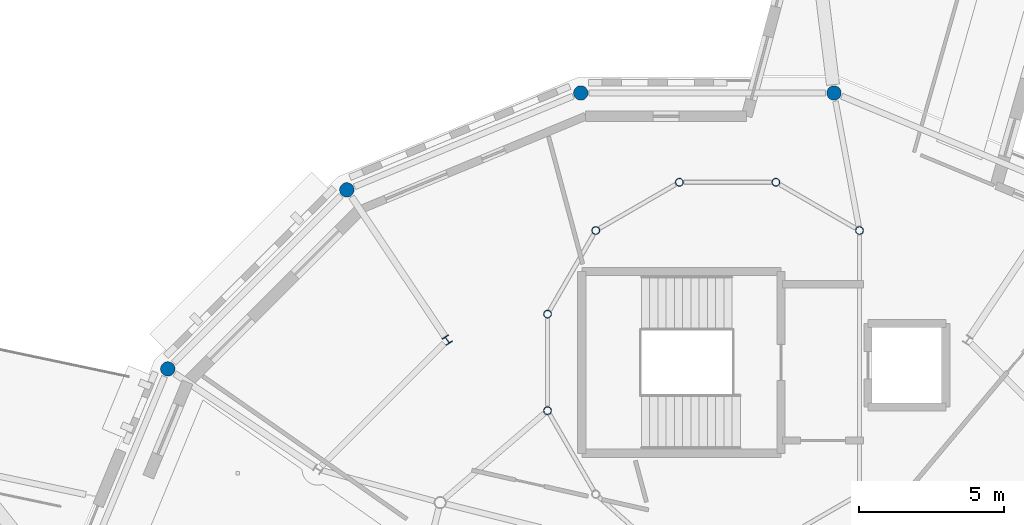
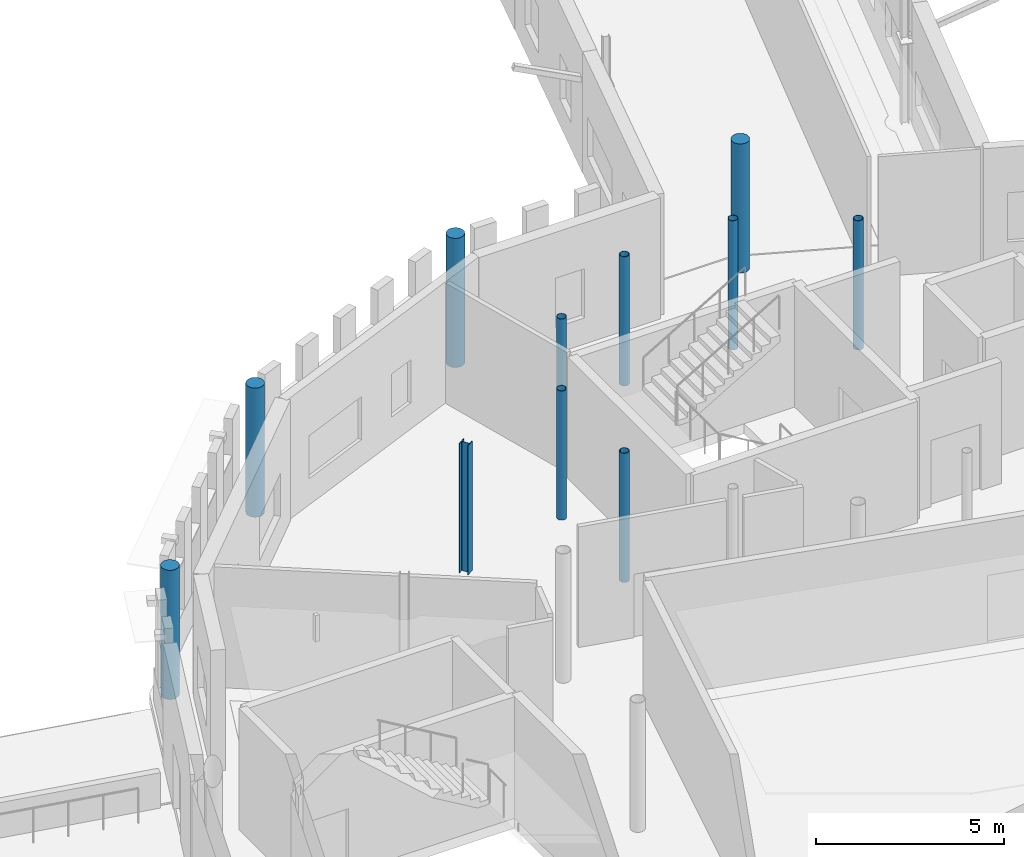
# One storey, part 14 of 90: 11 columns.
"""IFC4 building model written with IfcOpenShell, lengths in metres."""

from ifc_helpers import new_model, si_unit, direction, frame, origin, origin_2d, place, context, subcontext, project, spatial, circle, hollow_circle, i_section, extrude, material, material_profile, profile_set, type_object, element, save


model = new_model("IFC4")

# Units and contexts
model_context = context("Model", 3, precision=1e-05, world=origin(), true_north=direction((0.0, 1.0)))
body_context = subcontext(model_context, "Body", "Model", "MODEL_VIEW")
ifc_project = project(units=[si_unit("LENGTHUNIT", "METRE"), si_unit("AREAUNIT", "SQUARE_METRE"), si_unit("VOLUMEUNIT", "CUBIC_METRE"), si_unit("PLANEANGLEUNIT", "RADIAN"), si_unit("MASSUNIT", "GRAM", prefix="KILO")], contexts=[model_context])

# Site, building, storey
site_placement = place(None, origin())
site = spatial("IfcSite", under=ifc_project, at=site_placement, CompositionType="ELEMENT")
building_placement = place(site_placement, origin())
building = spatial("IfcBuilding", under=site, at=building_placement, Name="Wrenclough Park School", CompositionType="ELEMENT")
storey_placement = place(building_placement, frame((0.0, 0.0, 8.39990234375)))
storey = spatial("IfcBuildingStorey", under=building, at=storey_placement, Name="L02", CompositionType="ELEMENT", Elevation=8.39990234375)

# Columns
ifc_material_1 = material(Name="Structural steel S355", Category="steel")
ifc_material_profile_1 = material_profile(ifc_material_1, hollow_circle(Radius=0.136474609375, WallThickness=0.012451171875, at=origin_2d()), Name="CHS 273.0x12.5")
ifc_profile_set_1 = profile_set([ifc_material_profile_1], Name="Structural steel S355")
column_type_1 = type_object("IfcColumnType", Name="STR-COL-CHS273", PredefinedType="COLUMN", material=ifc_profile_set_1)
for number, where, z_axis, x_axis, name in (
    (1, (160.7607421875, 43.7607421875, 0.0), (0.0, 0.0, 1.0), (-0.707106781187, 0.707106781187, 0.0), "D1-SH L02 column D1SH-02"),
    (2, (157.869384765625, 45.43017578125, 0.0), (0.0, 0.0, 1.0), (-0.965925826289, 0.258819045103, 0.0), "D1-SH L02 column D1SH-03"),
    (3, (154.530517578125, 45.43017578125, 0.0), (0.0, 0.0, 1.0), (-0.965925826289, -0.258819045103, 0.0), "D1-SH L02 column D1SH-04"),
    (4, (151.63916015625, 43.7607421875, 0.0), (0.0, 0.0, 1.0), (-0.707106781187, -0.707106781187, 0.0), "D1-SH L02 column D1SH-05"),
    (5, (149.9697265625, 40.869384765625, 0.0), (0.0, 0.0, 1.0), (-0.258819045103, -0.965925826289, 0.0), "D1-SH L02 column D1SH-06"),
    (6, (149.9697265625, 37.530517578125, 0.0), (0.0, 0.0, 1.0), (0.258819045103, -0.965925826289, 0.0), "D1-SH L02 column D1SH-07"),
):
    element("IfcColumn", number, at=place(storey_placement, frame(where, z_axis=z_axis, x_axis=x_axis)), inside=storey, type_object=column_type_1, Name=name, PredefinedType="COLUMN", context=body_context, shape_type="SweptSolid", body=[
        extrude(hollow_circle(Radius=0.136474609375, WallThickness=0.012451171875, at=origin_2d()), origin(), (0.0, 0.0, 1.0), 4.2001953125),
    ])
ifc_material_2 = material(Name="Concrete C40/50", Category="concrete")
ifc_material_profile_2 = material_profile(ifc_material_2, circle(Radius=0.25, at=origin_2d()), Name="RC COL D500")
ifc_profile_set_2 = profile_set([ifc_material_profile_2], Name="Concrete C40/50")
column_type_2 = type_object("IfcColumnType", Name="STR-COL-RCD500", PredefinedType="COLUMN", material=ifc_profile_set_2)
for number, where, z_axis, x_axis, name in (
    (7, (159.8798828125, 48.5185546875, 0.0), (0.0, 0.0, 1.0), (-0.980785280403, 0.195090322016, 0.0), "D1 L02 column D1-OUT-04"),
    (8, (151.1201171875, 48.5185546875, 0.0), (0.0, 0.0, 1.0), (-0.980785280403, -0.195090322016, 0.0), "D1 L02 column D1-OUT-05"),
    (9, (143.02734375, 45.16650390625, 0.0), (0.0, 0.0, 1.0), (-0.831469612303, -0.55557023302, 0.0), "D1 L02 column D1-OUT-06"),
    (10, (136.83349609375, 38.97265625, 0.0), (0.0, 0.0, 1.0), (-0.55557023302, -0.831469612303, 0.0), "D1 L02 column D1-OUT-07"),
):
    element("IfcColumn", number, at=place(storey_placement, frame(where, z_axis=z_axis, x_axis=x_axis)), inside=storey, type_object=column_type_2, Name=name, PredefinedType="COLUMN", context=body_context, shape_type="SweptSolid", body=[
        extrude(circle(Radius=0.25, at=origin_2d()), origin(), (0.0, 0.0, 1.0), 4.2001953125),
    ])
ifc_material_profile_3 = material_profile(ifc_material_1, i_section(OverallWidth=0.2587890625, OverallDepth=0.2666015625, WebThickness=0.0126953125, FlangeThickness=0.0205078125, FilletRadius=0.0126953125, at=origin_2d()), Name="UKC 254x254x107")
ifc_profile_set_3 = profile_set([ifc_material_profile_3], Name="Structural steel S355")
column_type_3 = type_object("IfcColumnType", Name="STR-COL-UKC254B", PredefinedType="COLUMN", material=ifc_profile_set_3)
column_placement = place(storey_placement, frame((146.499755859375, 39.9697265625, 0.0), z_axis=(0.0, 0.0, 1.0), x_axis=(-0.831469612303, -0.55557023302, 0.0)))
element("IfcColumn", 11, at=column_placement, inside=storey, type_object=column_type_3, Name="D1 L02 column D1-MID-06", PredefinedType="COLUMN", context=body_context, shape_type="SweptSolid", body=[
    extrude(i_section(OverallWidth=0.2587890625, OverallDepth=0.2666015625, WebThickness=0.0126953125, FlangeThickness=0.0205078125, FilletRadius=0.0126953125, at=origin_2d()), origin(), (0.0, 0.0, 1.0), 4.2001953125),
])

save(model, "model.ifc")
